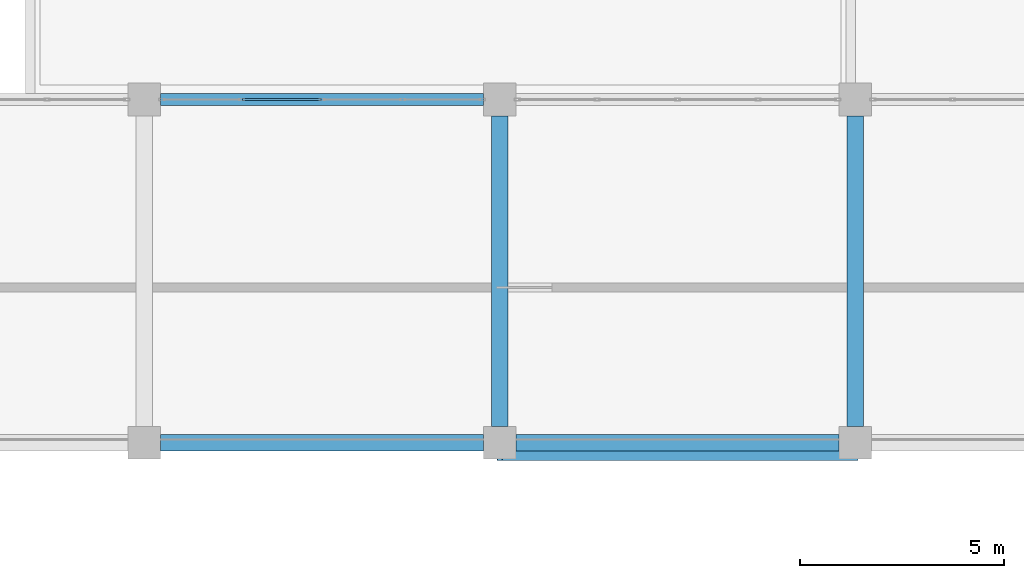
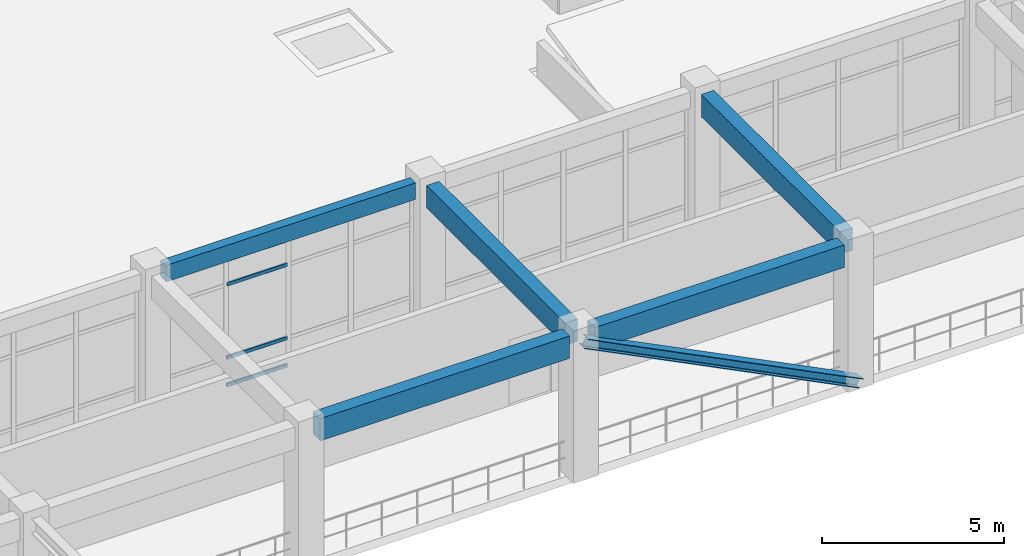
# One storey, part 50 of 124: 5 beams, 5 members, 1 element without a shape of its own.
"""IFC4 building model written with IfcOpenShell, lengths in metres."""

import ifcopenshell
import ifcopenshell.guid

model = None  # the IFC model being written
_history = None  # IfcOwnerHistory: only IFC2X3 demands one
_inside = {}  # id of a spatial element -> (the spatial element, [elements in it])
_under = {}  # id of a project, library or spatial element -> (it, [spatial elements below it])
_declared = {}  # id of a project -> (the project, [libraries it declares])
_typed = {}  # id of a type object -> (the type object, [elements of that type])
_made_of = {}  # id of a material, layer set ... -> (it, [elements and type objects made of it])


def new_model(schema):
    """Start an empty IFC model of exactly this schema.

    Asked for "IFC4X3", IfcOpenShell would pick the latest addendum, in which some entities
    have other attributes; the version numbers below select the first issue.
    IFC2X3 requires an IfcOwnerHistory on every rooted entity: one is made here for all.
    """
    global model, _history
    if schema == "IFC4X3":
        model = ifcopenshell.file(schema_version=(4, 3, 0, 0))
    else:
        model = ifcopenshell.file(schema=schema)
    _inside.clear()
    _under.clear()
    _declared.clear()
    _typed.clear()
    _made_of.clear()
    _history = None
    if model.schema == "IFC2X3":
        org = make("IfcOrganization", Name="unknown")
        user = make(
            "IfcPersonAndOrganization",
            ThePerson=make("IfcPerson", FamilyName="unknown"),
            TheOrganization=org,
        )
        app = make(
            "IfcApplication",
            ApplicationDeveloper=org,
            Version="unknown",
            ApplicationFullName="unknown",
            ApplicationIdentifier="unknown",
        )
        _history = make(
            "IfcOwnerHistory",
            OwningUser=user,
            OwningApplication=app,
            ChangeAction="ADDED",
            CreationDate=0,
        )
    return model


def make(cls, **values):
    """One entity of the class cls with the attributes given. An attribute that is None is left unset."""
    return model.create_entity(
        cls, **{name: value for name, value in values.items() if value is not None}
    )


def rooted(cls, **values):
    """An entity with a GlobalId (a new one), such as an element, a storey or a relation."""
    return make(cls, GlobalId=ifcopenshell.guid.new(), OwnerHistory=_history, **values)


def si_unit(unit_type, name, prefix=None):
    """IfcSIUnit, for example si_unit("LENGTHUNIT", "METRE", prefix="MILLI")."""
    return make("IfcSIUnit", UnitType=unit_type, Prefix=prefix, Name=name)


def derived_unit(unit_type, elements):
    """IfcDerivedUnit: a product of units, each with its exponent."""
    return make(
        "IfcDerivedUnit",
        Elements=[
            make("IfcDerivedUnitElement", Unit=unit, Exponent=power)
            for unit, power in elements
        ],
        UnitType=unit_type,
    )


def assignment(units):
    """IfcUnitAssignment: the units of a project."""
    return None if units is None else make("IfcUnitAssignment", Units=units)


def point(xyz):
    """IfcCartesianPoint."""
    return None if xyz is None else make("IfcCartesianPoint", Coordinates=xyz)


def direction(xyz):
    """IfcDirection."""
    return None if xyz is None else make("IfcDirection", DirectionRatios=xyz)


def frame(location, z_axis=None, x_axis=None):
    """IfcAxis2Placement3D, a coordinate frame: its origin and axes. An axis left out is left unset."""
    return make(
        "IfcAxis2Placement3D",
        Location=point(location),
        Axis=direction(z_axis),
        RefDirection=direction(x_axis),
    )


def frame_2d(location, x_axis=None):
    """IfcAxis2Placement2D, a coordinate frame in the plane: its origin and x axis."""
    return make(
        "IfcAxis2Placement2D", Location=point(location), RefDirection=direction(x_axis)
    )


def origin():
    """The frame at (0, 0, 0) with its axes left unset."""
    return frame((0.0, 0.0, 0.0))


def origin_2d():
    """The frame at (0, 0) in the plane with its x axis left unset."""
    return frame_2d((0.0, 0.0))


def place(relative_to, where):
    """IfcLocalPlacement: puts the frame where relative to a parent placement (None: the world)."""
    return make(
        "IfcLocalPlacement", PlacementRelTo=relative_to, RelativePlacement=where
    )


def context(
    kind, dimensions, precision=None, world=None, true_north=None, identifier=None
):
    """IfcGeometricRepresentationContext, for example the 3D "Model" context."""
    return make(
        "IfcGeometricRepresentationContext",
        ContextIdentifier=identifier,
        ContextType=kind,
        CoordinateSpaceDimension=dimensions,
        Precision=precision,
        WorldCoordinateSystem=world,
        TrueNorth=true_north,
    )


def subcontext(parent, identifier, kind, view, scale=None):
    """IfcGeometricRepresentationSubContext, for example "Body" below "Model"."""
    return make(
        "IfcGeometricRepresentationSubContext",
        ContextIdentifier=identifier,
        ContextType=kind,
        ParentContext=parent,
        TargetScale=scale,
        TargetView=view,
    )


def project(units=None, contexts=None):
    """IfcProject with its units and contexts."""
    return rooted(
        "IfcProject",
        Name="project",
        RepresentationContexts=contexts,
        UnitsInContext=assignment(units),
    )


def spatial(cls, under=None, at=None, **own):
    """A site, building, storey or space (cls), placed at a placement, below another one or the project."""
    s = rooted(cls, ObjectPlacement=at, **own)
    if under is not None:
        _under.setdefault(under.id(), (under, []))[1].append(s)
    return s


def profile(cls, at=None, kind="AREA", **sizes):
    """A parametric profile (cls). Its sizes go by their IFC names, for example OverallWidth=200.0."""
    return make(cls, ProfileType=kind, Position=at, **sizes)


def rectangle(**sizes):
    """IfcRectangleProfileDef."""
    return profile("IfcRectangleProfileDef", **sizes)


def hollow_rectangle(**sizes):
    """IfcRectangleHollowProfileDef."""
    return profile("IfcRectangleHollowProfileDef", **sizes)


def i_section(**sizes):
    """IfcIShapeProfileDef."""
    return profile("IfcIShapeProfileDef", **sizes)


def extrude(swept, where, along, depth):
    """IfcExtrudedAreaSolid: the profile swept, set in the frame where, extruded along a direction by depth."""
    return make(
        "IfcExtrudedAreaSolid",
        SweptArea=swept,
        Position=where,
        ExtrudedDirection=direction(along),
        Depth=depth,
    )


def shape(context_of_items, identifier, shape_type, items):
    """IfcShapeRepresentation: the items that make up one representation, for example the "Body"."""
    return make(
        "IfcShapeRepresentation",
        ContextOfItems=context_of_items,
        RepresentationIdentifier=identifier,
        RepresentationType=shape_type,
        Items=items,
    )


def material(Name=None, Category=None):
    """IfcMaterial."""
    return make("IfcMaterial", Name=Name, Category=Category)


def layer(
    of_material, thickness, ventilated=None, Name=None, Category=None, Priority=None
):
    """IfcMaterialLayer: one layer of a wall or slab, of a material (None: an air gap)."""
    return make(
        "IfcMaterialLayer",
        Material=of_material,
        LayerThickness=thickness,
        IsVentilated=ventilated,
        Name=Name,
        Category=Category,
        Priority=Priority,
    )


def layer_set(layers, Name=None):
    """IfcMaterialLayerSet."""
    return make("IfcMaterialLayerSet", MaterialLayers=layers, LayerSetName=Name)


def material_profile(
    of_material, cross_section, Name=None, Category=None, Priority=None
):
    """IfcMaterialProfile: a cross section and its material."""
    return make(
        "IfcMaterialProfile",
        Name=Name,
        Material=of_material,
        Profile=cross_section,
        Priority=Priority,
        Category=Category,
    )


def profile_set(profiles, Name=None, composite=None):
    """IfcMaterialProfileSet."""
    return make(
        "IfcMaterialProfileSet",
        Name=Name,
        MaterialProfiles=profiles,
        CompositeProfile=composite,
    )


def made_of(thing, what):
    """Note that an element or type object is made of a material, layer set ...; save() writes the relation."""
    if what is not None:
        _made_of.setdefault(what.id(), (what, []))[1].append(thing)
    return thing


def type_object(cls, material=None, **own):
    """A type object (cls), such as IfcWallType, which elements share."""
    return made_of(rooted(cls, **own), material)


def element(
    cls,
    number,
    at=None,
    inside=None,
    cuts=None,
    type_object=None,
    material=None,
    context=None,
    identifier="Body",
    shape_type=None,
    held_by="IfcProductDefinitionShape",
    body=None,
    shapes=None,
    **own,
):
    """One element of the class cls, such as IfcWall. Its Tag is "e" and its number.

    at: its placement. inside: the storey or other place that contains it. cuts: it is an
    opening in that element (IfcRelVoidsElement). A single representation is given by context,
    identifier, shape_type and body (its items); several are given by shapes. held_by: the class
    of the entity that holds the representations. save() writes the other relations.
    """
    e = rooted(cls, Tag="e%d" % number, ObjectPlacement=at, **own)
    if body is not None:
        shapes = [shape(context, identifier, shape_type, body)]
    if shapes is not None:
        e.Representation = make(held_by, Representations=shapes)
    if inside is not None:
        _inside.setdefault(inside.id(), (inside, []))[1].append(e)
    if cuts is not None:
        rooted(
            "IfcRelVoidsElement", RelatingBuildingElement=cuts, RelatedOpeningElement=e
        )
    if type_object is not None:
        _typed.setdefault(type_object.id(), (type_object, []))[1].append(e)
    return made_of(e, material)


def aggregate(whole, parts):
    """IfcRelAggregates: a whole, such as a stair, and the parts it consists of."""
    return rooted("IfcRelAggregates", RelatingObject=whole, RelatedObjects=parts)


def save(model, path):
    """Write the relations noted so far, then the file.

    IfcRelAggregates (storeys below a building ...), IfcRelContainedInSpatialStructure (elements
    in a storey), IfcRelDefinesByType, IfcRelAssociatesMaterial and IfcRelDeclares: one each for
    every whole, place, type object, material and project.
    """
    for whole, parts in _under.values():
        aggregate(whole, parts)
    for where, things in _inside.values():
        rooted(
            "IfcRelContainedInSpatialStructure",
            RelatedElements=things,
            RelatingStructure=where,
        )
    for kind, things in _typed.values():
        rooted("IfcRelDefinesByType", RelatedObjects=things, RelatingType=kind)
    for what, things in _made_of.values():
        rooted("IfcRelAssociatesMaterial", RelatedObjects=things, RelatingMaterial=what)
    for by, libraries in _declared.values():
        rooted("IfcRelDeclares", RelatingContext=by, RelatedDefinitions=libraries)
    model.write(path)


model = new_model("IFC4")

# Units and contexts
model_context = context("Model", 3, precision=1e-05, world=origin(), true_north=direction((0.0, 1.0)))
body_context = subcontext(model_context, "Body", "Model", "MODEL_VIEW")
ifc_project = project(units=[si_unit("LENGTHUNIT", "METRE"), si_unit("AREAUNIT", "SQUARE_METRE"), si_unit("VOLUMEUNIT", "CUBIC_METRE"), si_unit("PLANEANGLEUNIT", "RADIAN"), si_unit("MASSUNIT", "GRAM", prefix="KILO"), derived_unit("THERMALTRANSMITTANCEUNIT", [(si_unit("MASSUNIT", "GRAM", prefix="KILO"), 1), (si_unit("TIMEUNIT", "SECOND"), -3), (si_unit("THERMODYNAMICTEMPERATUREUNIT", "KELVIN"), -1)])], contexts=[model_context])

# Site, building, storey
site_placement = place(None, origin())
site = spatial("IfcSite", under=ifc_project, at=site_placement, CompositionType="ELEMENT")
building_placement = place(site_placement, origin())
building = spatial("IfcBuilding", under=site, at=building_placement, Name="Qinzheling Arcade Emporium", CompositionType="ELEMENT")
storey_placement = place(building_placement, frame((0.0, 0.0, 16.5)))
storey = spatial("IfcBuildingStorey", under=building, at=storey_placement, Name="L04", CompositionType="ELEMENT", Elevation=16.5)

# Curtain wall, members
ifc_material_1 = material(Name="Anodised aluminium and solar-control double glazing", Category="aluminium")
ifc_layer = layer(ifc_material_1, 0.159912109375, Name="Anodised aluminium and solar-control double glazing", Category="aluminium")
ifc_layer_set = layer_set([ifc_layer], Name="Anodised aluminium and solar-control double glazing")
curtain_wall_type = type_object("IfcCurtainWallType", Name="Atrium Clerestory Curtain Wall", PredefinedType="NOTDEFINED", material=ifc_layer_set)
curtain_wall_placement = place(storey_placement, origin())
curtain_wall = element("IfcCurtainWall", 1, at=curtain_wall_placement, inside=storey, type_object=curtain_wall_type, Name="Curtain Wall CW-L04-245", PredefinedType="NOTDEFINED")
ifc_material_2 = material(Name="Anodised aluminium 6063-T6", Category="aluminium")
ifc_material_profile_1 = material_profile(ifc_material_2, hollow_rectangle(XDim=0.06005859375, YDim=0.1201171875, WallThickness=0.00390625, InnerFilletRadius=0.00390625, OuterFilletRadius=0.008056640625, at=origin_2d()), Name="RHS 120x60x4", Category="aluminium")
ifc_profile_set_1 = profile_set([ifc_material_profile_1], Name="Anodised aluminium 6063-T6")
member_type_1 = type_object("IfcMemberType", Name="Curtain Wall Transom RHS120x60", PredefinedType="USERDEFINED", material=ifc_profile_set_1)
member_1_placement = place(storey_placement, frame((63.305908203125, 73.800048828125, 0.030029296875), z_axis=(1.0, 0.0, 0.0), x_axis=(0.0, 1.0, 0.0)))
member_1 = element("IfcMember", 2, at=member_1_placement, type_object=member_type_1, Name="CW03 transom 2.1", ObjectType="TRANSOM", PredefinedType="USERDEFINED", context=body_context, shape_type="SweptSolid", body=[
    extrude(hollow_rectangle(XDim=0.06005859375, YDim=0.1201171875, WallThickness=0.00390625, InnerFilletRadius=0.00390625, OuterFilletRadius=0.008056640625, at=origin_2d()), origin(), (0.0, 0.0, 1.0), 1.9140625),
])
member_2_placement = place(storey_placement, frame((63.305908203125, 73.800048828125, 0.949951171875), z_axis=(1.0, 0.0, 0.0), x_axis=(0.0, 1.0, 0.0)))
member_2 = element("IfcMember", 3, at=member_2_placement, type_object=member_type_1, Name="CW03 transom 2.2", ObjectType="TRANSOM", PredefinedType="USERDEFINED", context=body_context, shape_type="SweptSolid", body=[
    extrude(hollow_rectangle(XDim=0.06005859375, YDim=0.1201171875, WallThickness=0.00390625, InnerFilletRadius=0.00390625, OuterFilletRadius=0.008056640625, at=origin_2d()), origin(), (0.0, 0.0, 1.0), 1.9140625),
])
member_3_placement = place(storey_placement, frame((63.305908203125, 73.800048828125, 3.405029296875), z_axis=(1.0, 0.0, 0.0), x_axis=(0.0, 1.0, 0.0)))
member_3 = element("IfcMember", 4, at=member_3_placement, type_object=member_type_1, Name="CW03 transom 2.3", ObjectType="TRANSOM", PredefinedType="USERDEFINED", context=body_context, shape_type="SweptSolid", body=[
    extrude(hollow_rectangle(XDim=0.06005859375, YDim=0.1201171875, WallThickness=0.00390625, InnerFilletRadius=0.00390625, OuterFilletRadius=0.008056640625, at=origin_2d()), origin(), (0.0, 0.0, 1.0), 1.9140625),
])
member_4_placement = place(storey_placement, frame((63.305908203125, 73.800048828125, 4.22509765625), z_axis=(1.0, 0.0, 0.0), x_axis=(0.0, 1.0, 0.0)))
member_4 = element("IfcMember", 5, at=member_4_placement, type_object=member_type_1, Name="CW03 transom 2.4", ObjectType="TRANSOM", PredefinedType="USERDEFINED", context=body_context, shape_type="SweptSolid", body=[
    extrude(hollow_rectangle(XDim=0.06005859375, YDim=0.1201171875, WallThickness=0.00390625, InnerFilletRadius=0.00390625, OuterFilletRadius=0.008056640625, at=origin_2d()), origin(), (0.0, 0.0, 1.0), 1.9140625),
])
aggregate(curtain_wall, [member_1, member_2, member_3, member_4])

# Member
ifc_material_3 = material(Name="Structural steel Q355B", Category="steel")
ifc_material_profile_2 = material_profile(ifc_material_3, i_section(OverallWidth=0.300048828125, OverallDepth=0.300048828125, WebThickness=0.010009765625, FlangeThickness=0.014892578125, FilletRadius=0.01806640625, at=origin_2d()), Name="HW 300x300x10x15", Category="steel")
ifc_profile_set_2 = profile_set([ifc_material_profile_2], Name="Structural steel Q355B")
member_type_2 = type_object("IfcMemberType", Name="Escalator Truss Stringer HW300 Q355B", PredefinedType="STRINGER", material=ifc_profile_set_2)
member_5_placement = place(storey_placement, frame((78.300048828125, 65.1201171875, 0.179931640625), z_axis=(-0.893598137979, 0.0, 0.448867873434), x_axis=(0.0, -1.0, 0.0)))
element("IfcMember", 6, at=member_5_placement, inside=storey, type_object=member_type_2, Name="Escalator Stringer ESC-STR-L04-2", PredefinedType="STRINGER", context=body_context, shape_type="SweptSolid", body=[
    extrude(i_section(OverallWidth=0.300048828125, OverallDepth=0.300048828125, WebThickness=0.010009765625, FlangeThickness=0.014892578125, FilletRadius=0.01806640625, at=origin_2d()), origin(), (0.0, 0.0, 1.0), 9.73583984375),
])

# Beams
ifc_material_4 = material(Name="Concrete C40", Category="concrete")
ifc_material_profile_3 = material_profile(ifc_material_4, rectangle(XDim=0.39990234375, YDim=0.75, at=origin_2d()), Name="RC 400x750", Category="concrete")
ifc_profile_set_3 = profile_set([ifc_material_profile_3], Name="Concrete C40")
beam_type_1 = type_object("IfcBeamType", Name="RC Interior Tie Beam 400x750 C40", PredefinedType="BEAM", material=ifc_profile_set_3)
for number, where, z_axis, x_axis, name in (
    (7, (61.300048828125, 65.39990234375, 4.445068359375), (1.0, 0.0, 0.0), (0.0, 1.0, 0.0), "Beam BM-L04-X-H-8"),
    (8, (70.0, 65.39990234375, 4.445068359375), (1.0, 0.0, 0.0), (0.0, 1.0, 0.0), "Beam BM-L04-X-H-9"),
):
    element("IfcBeam", number, at=place(storey_placement, frame(where, z_axis=z_axis, x_axis=x_axis)), inside=storey, type_object=beam_type_1, Name=name, PredefinedType="BEAM", context=body_context, shape_type="SweptSolid", body=[
        extrude(rectangle(XDim=0.39990234375, YDim=0.75, at=origin_2d()), origin(), (0.0, 0.0, 1.0), 7.89990234375),
    ])
for number, where, z_axis, x_axis, name in (
    (9, (69.60009765625, 65.800048828125, 4.445068359375), (0.0, 1.0, 0.0), (-1.0, 0.0, 0.0), "Beam BM-L04-Y-9-H"),
    (10, (78.300048828125, 65.800048828125, 4.445068359375), (0.0, 1.0, 0.0), (-1.0, 0.0, 0.0), "Beam BM-L04-Y-10-H"),
):
    element("IfcBeam", number, at=place(storey_placement, frame(where, z_axis=z_axis, x_axis=x_axis)), inside=storey, type_object=beam_type_1, Name=name, PredefinedType="BEAM", context=body_context, shape_type="SweptSolid", body=[
        extrude(rectangle(XDim=0.39990234375, YDim=0.75, at=origin_2d()), origin(), (0.0, 0.0, 1.0), 7.599853515625),
    ])
ifc_material_profile_4 = material_profile(ifc_material_4, rectangle(XDim=0.300048828125, YDim=0.550048828125, at=origin_2d()), Name="RC 300x550", Category="concrete")
ifc_profile_set_4 = profile_set([ifc_material_profile_4], Name="Concrete C40")
beam_type_2 = type_object("IfcBeamType", Name="RC Terrace Spandrel Beam 300x550 C40", PredefinedType="SPANDREL", material=ifc_profile_set_4)
beam_placement = place(storey_placement, frame((61.300048828125, 73.800048828125, 4.544921875), z_axis=(1.0, 0.0, 0.0), x_axis=(0.0, 1.0, 0.0)))
element("IfcBeam", 11, at=beam_placement, inside=storey, type_object=beam_type_2, Name="Beam BM-L04-X-J-8", PredefinedType="SPANDREL", context=body_context, shape_type="SweptSolid", body=[
    extrude(rectangle(XDim=0.300048828125, YDim=0.550048828125, at=origin_2d()), origin(), (0.0, 0.0, 1.0), 7.89990234375),
])

save(model, "model.ifc")
